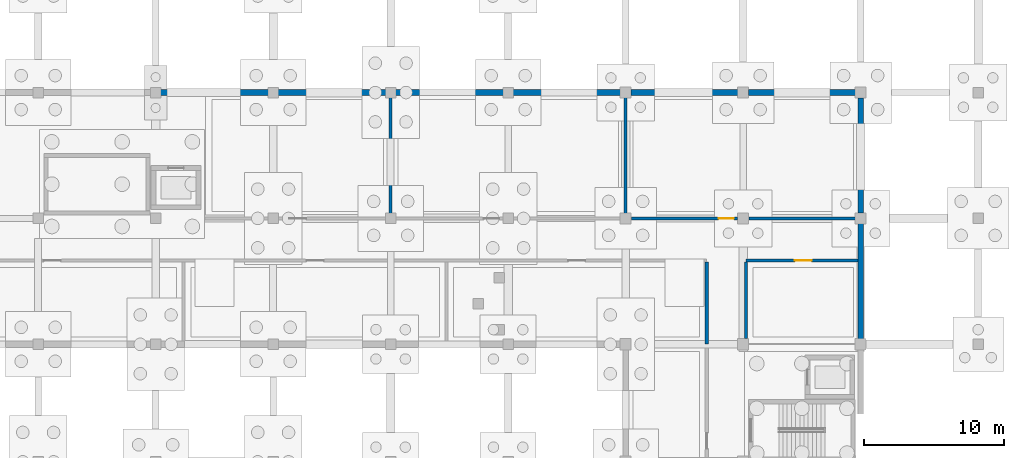
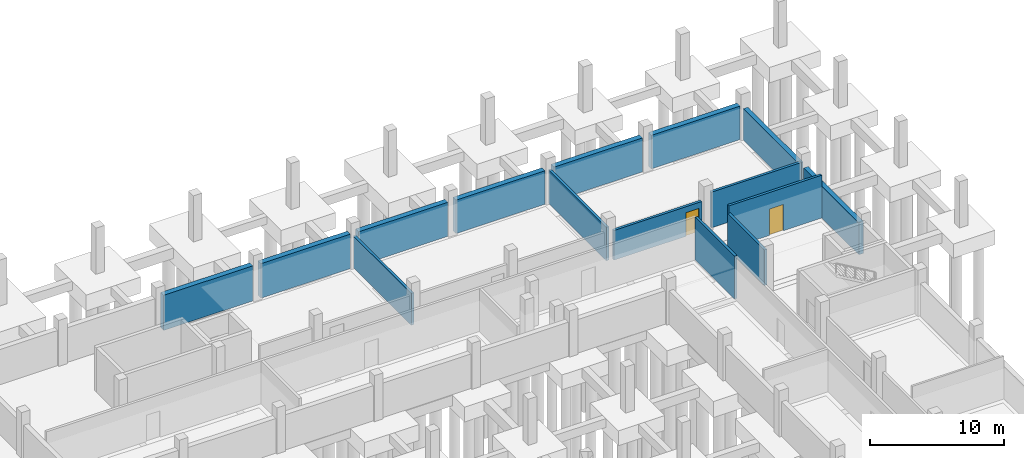
# One storey, part 15 of 20: 15 walls, 2 doors, 2 openings.
"""IFC4 building model written with IfcOpenShell, lengths in metres."""

import ifcopenshell
import ifcopenshell.guid

model = None  # the IFC model being written
_history = None  # IfcOwnerHistory: only IFC2X3 demands one
_inside = {}  # id of a spatial element -> (the spatial element, [elements in it])
_under = {}  # id of a project, library or spatial element -> (it, [spatial elements below it])
_declared = {}  # id of a project -> (the project, [libraries it declares])
_typed = {}  # id of a type object -> (the type object, [elements of that type])
_made_of = {}  # id of a material, layer set ... -> (it, [elements and type objects made of it])


def new_model(schema):
    """Start an empty IFC model of exactly this schema.

    Asked for "IFC4X3", IfcOpenShell would pick the latest addendum, in which some entities
    have other attributes; the version numbers below select the first issue.
    IFC2X3 requires an IfcOwnerHistory on every rooted entity: one is made here for all.
    """
    global model, _history
    if schema == "IFC4X3":
        model = ifcopenshell.file(schema_version=(4, 3, 0, 0))
    else:
        model = ifcopenshell.file(schema=schema)
    _inside.clear()
    _under.clear()
    _declared.clear()
    _typed.clear()
    _made_of.clear()
    _history = None
    if model.schema == "IFC2X3":
        org = make("IfcOrganization", Name="unknown")
        user = make(
            "IfcPersonAndOrganization",
            ThePerson=make("IfcPerson", FamilyName="unknown"),
            TheOrganization=org,
        )
        app = make(
            "IfcApplication",
            ApplicationDeveloper=org,
            Version="unknown",
            ApplicationFullName="unknown",
            ApplicationIdentifier="unknown",
        )
        _history = make(
            "IfcOwnerHistory",
            OwningUser=user,
            OwningApplication=app,
            ChangeAction="ADDED",
            CreationDate=0,
        )
    return model


def make(cls, **values):
    """One entity of the class cls with the attributes given. An attribute that is None is left unset."""
    return model.create_entity(
        cls, **{name: value for name, value in values.items() if value is not None}
    )


def rooted(cls, **values):
    """An entity with a GlobalId (a new one), such as an element, a storey or a relation."""
    return make(cls, GlobalId=ifcopenshell.guid.new(), OwnerHistory=_history, **values)


def si_unit(unit_type, name, prefix=None):
    """IfcSIUnit, for example si_unit("LENGTHUNIT", "METRE", prefix="MILLI")."""
    return make("IfcSIUnit", UnitType=unit_type, Prefix=prefix, Name=name)


def assignment(units):
    """IfcUnitAssignment: the units of a project."""
    return None if units is None else make("IfcUnitAssignment", Units=units)


def point(xyz):
    """IfcCartesianPoint."""
    return None if xyz is None else make("IfcCartesianPoint", Coordinates=xyz)


def direction(xyz):
    """IfcDirection."""
    return None if xyz is None else make("IfcDirection", DirectionRatios=xyz)


def frame(location, z_axis=None, x_axis=None):
    """IfcAxis2Placement3D, a coordinate frame: its origin and axes. An axis left out is left unset."""
    return make(
        "IfcAxis2Placement3D",
        Location=point(location),
        Axis=direction(z_axis),
        RefDirection=direction(x_axis),
    )


def frame_2d(location, x_axis=None):
    """IfcAxis2Placement2D, a coordinate frame in the plane: its origin and x axis."""
    return make(
        "IfcAxis2Placement2D", Location=point(location), RefDirection=direction(x_axis)
    )


def origin():
    """The frame at (0, 0, 0) with its axes left unset."""
    return frame((0.0, 0.0, 0.0))


def place(relative_to, where):
    """IfcLocalPlacement: puts the frame where relative to a parent placement (None: the world)."""
    return make(
        "IfcLocalPlacement", PlacementRelTo=relative_to, RelativePlacement=where
    )


def context(
    kind, dimensions, precision=None, world=None, true_north=None, identifier=None
):
    """IfcGeometricRepresentationContext, for example the 3D "Model" context."""
    return make(
        "IfcGeometricRepresentationContext",
        ContextIdentifier=identifier,
        ContextType=kind,
        CoordinateSpaceDimension=dimensions,
        Precision=precision,
        WorldCoordinateSystem=world,
        TrueNorth=true_north,
    )


def subcontext(parent, identifier, kind, view, scale=None):
    """IfcGeometricRepresentationSubContext, for example "Body" below "Model"."""
    return make(
        "IfcGeometricRepresentationSubContext",
        ContextIdentifier=identifier,
        ContextType=kind,
        ParentContext=parent,
        TargetScale=scale,
        TargetView=view,
    )


def project(units=None, contexts=None):
    """IfcProject with its units and contexts."""
    return rooted(
        "IfcProject",
        Name="project",
        RepresentationContexts=contexts,
        UnitsInContext=assignment(units),
    )


def spatial(cls, under=None, at=None, **own):
    """A site, building, storey or space (cls), placed at a placement, below another one or the project."""
    s = rooted(cls, ObjectPlacement=at, **own)
    if under is not None:
        _under.setdefault(under.id(), (under, []))[1].append(s)
    return s


def profile(cls, at=None, kind="AREA", **sizes):
    """A parametric profile (cls). Its sizes go by their IFC names, for example OverallWidth=200.0."""
    return make(cls, ProfileType=kind, Position=at, **sizes)


def rectangle(**sizes):
    """IfcRectangleProfileDef."""
    return profile("IfcRectangleProfileDef", **sizes)


def extrude(swept, where, along, depth):
    """IfcExtrudedAreaSolid: the profile swept, set in the frame where, extruded along a direction by depth."""
    return make(
        "IfcExtrudedAreaSolid",
        SweptArea=swept,
        Position=where,
        ExtrudedDirection=direction(along),
        Depth=depth,
    )


def shape(context_of_items, identifier, shape_type, items):
    """IfcShapeRepresentation: the items that make up one representation, for example the "Body"."""
    return make(
        "IfcShapeRepresentation",
        ContextOfItems=context_of_items,
        RepresentationIdentifier=identifier,
        RepresentationType=shape_type,
        Items=items,
    )


def material(Name=None, Category=None):
    """IfcMaterial."""
    return make("IfcMaterial", Name=Name, Category=Category)


def layer(
    of_material, thickness, ventilated=None, Name=None, Category=None, Priority=None
):
    """IfcMaterialLayer: one layer of a wall or slab, of a material (None: an air gap)."""
    return make(
        "IfcMaterialLayer",
        Material=of_material,
        LayerThickness=thickness,
        IsVentilated=ventilated,
        Name=Name,
        Category=Category,
        Priority=Priority,
    )


def layer_set(layers, Name=None):
    """IfcMaterialLayerSet."""
    return make("IfcMaterialLayerSet", MaterialLayers=layers, LayerSetName=Name)


def made_of(thing, what):
    """Note that an element or type object is made of a material, layer set ...; save() writes the relation."""
    if what is not None:
        _made_of.setdefault(what.id(), (what, []))[1].append(thing)
    return thing


def type_object(cls, material=None, **own):
    """A type object (cls), such as IfcWallType, which elements share."""
    return made_of(rooted(cls, **own), material)


def element(
    cls,
    number,
    at=None,
    inside=None,
    cuts=None,
    type_object=None,
    material=None,
    context=None,
    identifier="Body",
    shape_type=None,
    held_by="IfcProductDefinitionShape",
    body=None,
    shapes=None,
    **own,
):
    """One element of the class cls, such as IfcWall. Its Tag is "e" and its number.

    at: its placement. inside: the storey or other place that contains it. cuts: it is an
    opening in that element (IfcRelVoidsElement). A single representation is given by context,
    identifier, shape_type and body (its items); several are given by shapes. held_by: the class
    of the entity that holds the representations. save() writes the other relations.
    """
    e = rooted(cls, Tag="e%d" % number, ObjectPlacement=at, **own)
    if body is not None:
        shapes = [shape(context, identifier, shape_type, body)]
    if shapes is not None:
        e.Representation = make(held_by, Representations=shapes)
    if inside is not None:
        _inside.setdefault(inside.id(), (inside, []))[1].append(e)
    if cuts is not None:
        rooted(
            "IfcRelVoidsElement", RelatingBuildingElement=cuts, RelatedOpeningElement=e
        )
    if type_object is not None:
        _typed.setdefault(type_object.id(), (type_object, []))[1].append(e)
    return made_of(e, material)


def fill(opening, filler):
    """IfcRelFillsElement: the door or window that sits in an opening."""
    return rooted(
        "IfcRelFillsElement",
        RelatingOpeningElement=opening,
        RelatedBuildingElement=filler,
    )


def aggregate(whole, parts):
    """IfcRelAggregates: a whole, such as a stair, and the parts it consists of."""
    return rooted("IfcRelAggregates", RelatingObject=whole, RelatedObjects=parts)


def save(model, path):
    """Write the relations noted so far, then the file.

    IfcRelAggregates (storeys below a building ...), IfcRelContainedInSpatialStructure (elements
    in a storey), IfcRelDefinesByType, IfcRelAssociatesMaterial and IfcRelDeclares: one each for
    every whole, place, type object, material and project.
    """
    for whole, parts in _under.values():
        aggregate(whole, parts)
    for where, things in _inside.values():
        rooted(
            "IfcRelContainedInSpatialStructure",
            RelatedElements=things,
            RelatingStructure=where,
        )
    for kind, things in _typed.values():
        rooted("IfcRelDefinesByType", RelatedObjects=things, RelatingType=kind)
    for what, things in _made_of.values():
        rooted("IfcRelAssociatesMaterial", RelatedObjects=things, RelatingMaterial=what)
    for by, libraries in _declared.values():
        rooted("IfcRelDeclares", RelatingContext=by, RelatedDefinitions=libraries)
    model.write(path)


model = new_model("IFC4")

# Units and contexts
model_context = context("Model", 3, precision=1e-05, world=origin(), true_north=direction((0.0, 1.0)))
body_context = subcontext(model_context, "Body", "Model", "MODEL_VIEW")
ifc_project = project(units=[si_unit("LENGTHUNIT", "METRE"), si_unit("AREAUNIT", "SQUARE_METRE"), si_unit("VOLUMEUNIT", "CUBIC_METRE"), si_unit("PLANEANGLEUNIT", "RADIAN"), si_unit("MASSUNIT", "GRAM", prefix="KILO")], contexts=[model_context])

# Site, building, storey
site_placement = place(None, origin())
site = spatial("IfcSite", under=ifc_project, at=site_placement, CompositionType="ELEMENT")
building_placement = place(site_placement, origin())
building = spatial("IfcBuilding", under=site, at=building_placement, Name="Vireocrest Preparatory School", CompositionType="ELEMENT")
storey_placement = place(building_placement, frame((0.0, 0.0, -4.199951171875)))
storey = spatial("IfcBuildingStorey", under=building, at=storey_placement, Name="B01", CompositionType="ELEMENT", Elevation=-4.199951171875)

# Walls
ifc_material_1 = material(Name="Concrete 45 MPa", Category="concrete")
ifc_layer_1 = layer(ifc_material_1, 0.39990234375)
ifc_layer_set_1 = layer_set([ifc_layer_1], Name="Concrete 45 MPa")
wall_type_1 = type_object("IfcWallType", Name="Basement RC Retaining Wall 400", PredefinedType="SHEAR", material=ifc_layer_set_1)
wall_1_placement = place(storey_placement, frame((109.199951171875, 86.175048828125, 0.0), z_axis=(0.0, 0.0, 1.0), x_axis=(0.0, 1.0, 0.0)))
element("IfcWall", 1, at=wall_1_placement, inside=storey, type_object=wall_type_1, Name="External Wall RW1 EW_B01_0021", PredefinedType="SHEAR", context=body_context, shape_type="SweptSolid", body=[
    extrude(rectangle(XDim=8.25, YDim=0.39990234375, at=frame_2d((4.125, 0.0))), origin(), (0.0, 0.0, 1.0), 2.89990234375),
])
wall_2_placement = place(storey_placement, frame((109.199951171875, 95.175048828125, 0.0), z_axis=(0.0, 0.0, 1.0), x_axis=(0.0, 1.0, 0.0)))
element("IfcWall", 2, at=wall_2_placement, inside=storey, type_object=wall_type_1, Name="External Wall RW1 EW_B01_0022", PredefinedType="SHEAR", context=body_context, shape_type="SweptSolid", body=[
    extrude(rectangle(XDim=8.25, YDim=0.39990234375, at=frame_2d((4.125, 0.0))), origin(), (0.0, 0.0, 1.0), 2.849853515625),
])
ifc_layer_2 = layer(ifc_material_1, 0.449951171875)
ifc_layer_set_2 = layer_set([ifc_layer_2], Name="Concrete 45 MPa")
wall_type_2 = type_object("IfcWallType", Name="Deep Plant Basement RC Retaining Wall 450", PredefinedType="SHEAR", material=ifc_layer_set_2)
wall_3_placement = place(storey_placement, frame((59.14990234375, 103.800048828125, 0.0), z_axis=(0.0, 0.0, 1.0), x_axis=(1.0, 0.0, 0.0)))
element("IfcWall", 3, at=wall_3_placement, inside=storey, type_object=wall_type_2, Name="External Wall RW2 EW_B01_0025", PredefinedType="SHEAR", context=body_context, shape_type="SweptSolid", body=[
    extrude(rectangle(XDim=7.7001953125, YDim=0.449951171875, at=frame_2d((3.85009765625, 0.0))), origin(), (0.0, 0.0, 1.0), 3.199951171875),
])
wall_4_placement = place(storey_placement, frame((67.550048828125, 103.800048828125, 0.0), z_axis=(0.0, 0.0, 1.0), x_axis=(1.0, 0.0, 0.0)))
element("IfcWall", 4, at=wall_4_placement, inside=storey, type_object=wall_type_2, Name="External Wall RW2 EW_B01_0026", PredefinedType="SHEAR", context=body_context, shape_type="SweptSolid", body=[
    extrude(rectangle(XDim=7.699951171875, YDim=0.449951171875, at=frame_2d((3.85009765625, 0.0))), origin(), (0.0, 0.0, 1.0), 3.14990234375),
])
wall_5_placement = place(storey_placement, frame((75.949951171875, 103.800048828125, 0.0), z_axis=(0.0, 0.0, 1.0), x_axis=(1.0, 0.0, 0.0)))
element("IfcWall", 5, at=wall_5_placement, inside=storey, type_object=wall_type_2, Name="External Wall RW2 EW_B01_0027", PredefinedType="SHEAR", context=body_context, shape_type="SweptSolid", body=[
    extrude(rectangle(XDim=7.699951171875, YDim=0.449951171875, at=frame_2d((3.85009765625, 0.0))), origin(), (0.0, 0.0, 1.0), 3.099853515625),
])
wall_6_placement = place(storey_placement, frame((84.35009765625, 103.800048828125, 0.0), z_axis=(0.0, 0.0, 1.0), x_axis=(1.0, 0.0, 0.0)))
element("IfcWall", 6, at=wall_6_placement, inside=storey, type_object=wall_type_2, Name="External Wall RW2 EW_B01_0028", PredefinedType="SHEAR", context=body_context, shape_type="SweptSolid", body=[
    extrude(rectangle(XDim=7.6748046875, YDim=0.449951171875, at=frame_2d((3.83740234375, 0.0))), origin(), (0.0, 0.0, 1.0), 3.050048828125),
])
wall_7_placement = place(storey_placement, frame((92.77490234375, 103.800048828125, 0.0), z_axis=(0.0, 0.0, 1.0), x_axis=(1.0, 0.0, 0.0)))
element("IfcWall", 7, at=wall_7_placement, inside=storey, type_object=wall_type_2, Name="External Wall RW2 EW_B01_0029", PredefinedType="SHEAR", context=body_context, shape_type="SweptSolid", body=[
    extrude(rectangle(XDim=7.650146484375, YDim=0.449951171875, at=frame_2d((3.8251953125, 0.0))), origin(), (0.0, 0.0, 1.0), 3.099853515625),
])
wall_8_placement = place(storey_placement, frame((101.175048828125, 103.800048828125, 0.0), z_axis=(0.0, 0.0, 1.0), x_axis=(1.0, 0.0, 0.0)))
element("IfcWall", 8, at=wall_8_placement, inside=storey, type_object=wall_type_2, Name="External Wall RW2 EW_B01_0030", PredefinedType="SHEAR", context=body_context, shape_type="SweptSolid", body=[
    extrude(rectangle(XDim=7.64990234375, YDim=0.449951171875, at=frame_2d((3.824951171875, 0.0))), origin(), (0.0, 0.0, 1.0), 3.050048828125),
])
ifc_material_2 = material(Name="Acoustic concrete masonry unitwork", Category="masonry")
ifc_layer_3 = layer(ifc_material_2, 0.219970703125)
ifc_layer_set_3 = layer_set([ifc_layer_3], Name="Acoustic concrete masonry unitwork")
wall_type_3 = type_object("IfcWallType", Name="Internal Acoustic Masonry Wall 220", PredefinedType="SOLIDWALL", material=ifc_layer_set_3)
wall_9_placement = place(storey_placement, frame((98.199951171875, 85.81005859375, 0.0), z_axis=(0.0, 0.0, 1.0), x_axis=(0.0, 1.0, 0.0)))
element("IfcWall", 9, at=wall_9_placement, inside=storey, type_object=wall_type_3, Name="Interior Partition W07 IW_B01_0016", PredefinedType="SOLIDWALL", context=body_context, shape_type="SweptSolid", body=[
    extrude(rectangle(XDim=5.875, YDim=0.219970703125, at=frame_2d((2.9375, 0.0))), origin(), (0.0, 0.0, 1.0), 3.89990234375),
])

# Wall, opening, door
wall_10_placement = place(storey_placement, frame((101.010009765625, 91.800048828125, 0.0), z_axis=(0.0, 0.0, 1.0), x_axis=(1.0, 0.0, 0.0)))
wall_10 = element("IfcWall", 10, at=wall_10_placement, inside=storey, type_object=wall_type_3, Name="Interior Partition W07 IW_B01_0017", PredefinedType="SOLIDWALL", context=body_context, shape_type="SweptSolid", body=[
    extrude(rectangle(XDim=7.985107421875, YDim=0.219970703125, at=frame_2d((3.99267578125, 0.0))), origin(), (0.0, 0.0, 1.0), 3.89990234375),
])
opening_1_placement = place(wall_10_placement, frame((3.489990234375, 0.0, 0.0)))
opening_1 = element("IfcOpeningElement", 11, at=opening_1_placement, cuts=wall_10, Name="Opening D-B01-NPE01", PredefinedType="OPENING", context=body_context, shape_type="SweptSolid", body=[
    extrude(rectangle(XDim=1.199951171875, YDim=2.39990234375, at=frame_2d((0.60009765625, 1.199951171875))), frame((0.0, 0.119873046875, 0.0), z_axis=(0.0, -1.0, 0.0), x_axis=(1.0, 0.0, 0.0)), (0.0, 0.0, 1.0), 0.239990234375),
])
ifc_material_3 = material(Name="Painted galvanized hollow steel", Category="steel")
door_type_1 = type_object("IfcDoorType", Name="Plant Room Steel Door 1200x2400", OperationType="NOTDEFINED", PredefinedType="DOOR", material=ifc_material_3)
door_1_placement = place(opening_1_placement, origin())
door_1 = element("IfcDoor", 12, at=door_1_placement, inside=storey, type_object=door_type_1, Name="Interior Door D-B01-NPE01", OperationType="SINGLE_SWING_RIGHT", OverallHeight=2.39990234375, OverallWidth=1.199951171875, PredefinedType="DOOR", context=body_context, shape_type="SweptSolid", body=[
    extrude(rectangle(XDim=1.199951171875, YDim=2.39990234375, at=frame_2d((0.60009765625, 1.199951171875))), frame((0.0, 0.02490234375, 0.0), z_axis=(0.0, -1.0, 0.0), x_axis=(1.0, 0.0, 0.0)), (0.0, 0.0, 1.0), 0.050048828125),
])
fill(opening_1, door_1)

# Walls
wall_11_placement = place(storey_placement, frame((101.0, 86.2099609375, 0.0), z_axis=(0.0, 0.0, 1.0), x_axis=(0.0, 1.0, 0.0)))
element("IfcWall", 13, at=wall_11_placement, inside=storey, type_object=wall_type_3, Name="Interior Partition W07 IW_B01_0018", PredefinedType="SOLIDWALL", context=body_context, shape_type="SweptSolid", body=[
    extrude(rectangle(XDim=5.47509765625, YDim=0.219970703125, at=frame_2d((2.737548828125, 0.0))), origin(), (0.0, 0.0, 1.0), 3.25),
])
wall_12_placement = place(storey_placement, frame((75.60009765625, 94.9150390625, 0.0), z_axis=(0.0, 0.0, 1.0), x_axis=(0.0, 1.0, 0.0)))
element("IfcWall", 14, at=wall_12_placement, inside=storey, type_object=wall_type_3, Name="Interior Partition W07 IW_B01_0019", PredefinedType="SOLIDWALL", context=body_context, shape_type="SweptSolid", body=[
    extrude(rectangle(XDim=8.655029296875, YDim=0.219970703125, at=frame_2d((4.32763671875, 0.0))), origin(), (0.0, 0.0, 1.0), 2.89990234375),
])
wall_13_placement = place(storey_placement, frame((92.39990234375, 94.9150390625, 0.0), z_axis=(0.0, 0.0, 1.0), x_axis=(0.0, 1.0, 0.0)))
element("IfcWall", 15, at=wall_13_placement, inside=storey, type_object=wall_type_3, Name="Interior Partition W07 IW_B01_0020", PredefinedType="SOLIDWALL", context=body_context, shape_type="SweptSolid", body=[
    extrude(rectangle(XDim=8.655029296875, YDim=0.219970703125, at=frame_2d((4.32763671875, 0.0))), origin(), (0.0, 0.0, 1.0), 3.050048828125),
])

# Wall, opening, door
wall_14_placement = place(storey_placement, frame((92.81005859375, 94.800048828125, 0.0), z_axis=(0.0, 0.0, 1.0), x_axis=(1.0, 0.0, 0.0)))
wall_14 = element("IfcWall", 16, at=wall_14_placement, inside=storey, type_object=wall_type_3, Name="Interior Partition W07 IW_B01_0025", PredefinedType="SOLIDWALL", context=body_context, shape_type="SweptSolid", body=[
    extrude(rectangle(XDim=7.579833984375, YDim=0.219970703125, at=frame_2d((3.7900390625, 0.0))), origin(), (0.0, 0.0, 1.0), 2.699951171875),
])
opening_2_placement = place(wall_14_placement, frame((6.22998046875, 0.0, 0.0)))
opening_2 = element("IfcOpeningElement", 17, at=opening_2_placement, cuts=wall_14, Name="Opening D-B01-NPN03", PredefinedType="OPENING", context=body_context, shape_type="SweptSolid", body=[
    extrude(rectangle(XDim=1.10009765625, YDim=2.14990234375, at=frame_2d((0.550048828125, 1.074951171875))), frame((0.0, 0.119873046875, 0.0), z_axis=(0.0, -1.0, 0.0), x_axis=(1.0, 0.0, 0.0)), (0.0, 0.0, 1.0), 0.239990234375),
])
door_type_2 = type_object("IfcDoorType", Name="Prep and Store Fire Door 1100x2150", OperationType="NOTDEFINED", PredefinedType="DOOR", material=ifc_material_3)
door_2_placement = place(opening_2_placement, origin())
door_2 = element("IfcDoor", 18, at=door_2_placement, inside=storey, type_object=door_type_2, Name="Interior Door D-B01-NPN03", OperationType="SINGLE_SWING_LEFT", OverallHeight=2.14990234375, OverallWidth=1.10009765625, PredefinedType="DOOR", context=body_context, shape_type="SweptSolid", body=[
    extrude(rectangle(XDim=1.10009765625, YDim=2.14990234375, at=frame_2d((0.550048828125, 1.074951171875))), frame((0.0, 0.02490234375, 0.0), z_axis=(0.0, -1.0, 0.0), x_axis=(1.0, 0.0, 0.0)), (0.0, 0.0, 1.0), 0.050048828125),
])
fill(opening_2, door_2)

# Wall
wall_15_placement = place(storey_placement, frame((101.2099609375, 94.800048828125, 0.0), z_axis=(0.0, 0.0, 1.0), x_axis=(1.0, 0.0, 0.0)))
element("IfcWall", 19, at=wall_15_placement, inside=storey, type_object=wall_type_3, Name="Interior Partition W07 IW_B01_0026", PredefinedType="SOLIDWALL", context=body_context, shape_type="SweptSolid", body=[
    extrude(rectangle(XDim=7.78515625, YDim=0.219970703125, at=frame_2d((3.892578125, 0.0))), origin(), (0.0, 0.0, 1.0), 3.25),
])

save(model, "model.ifc")
